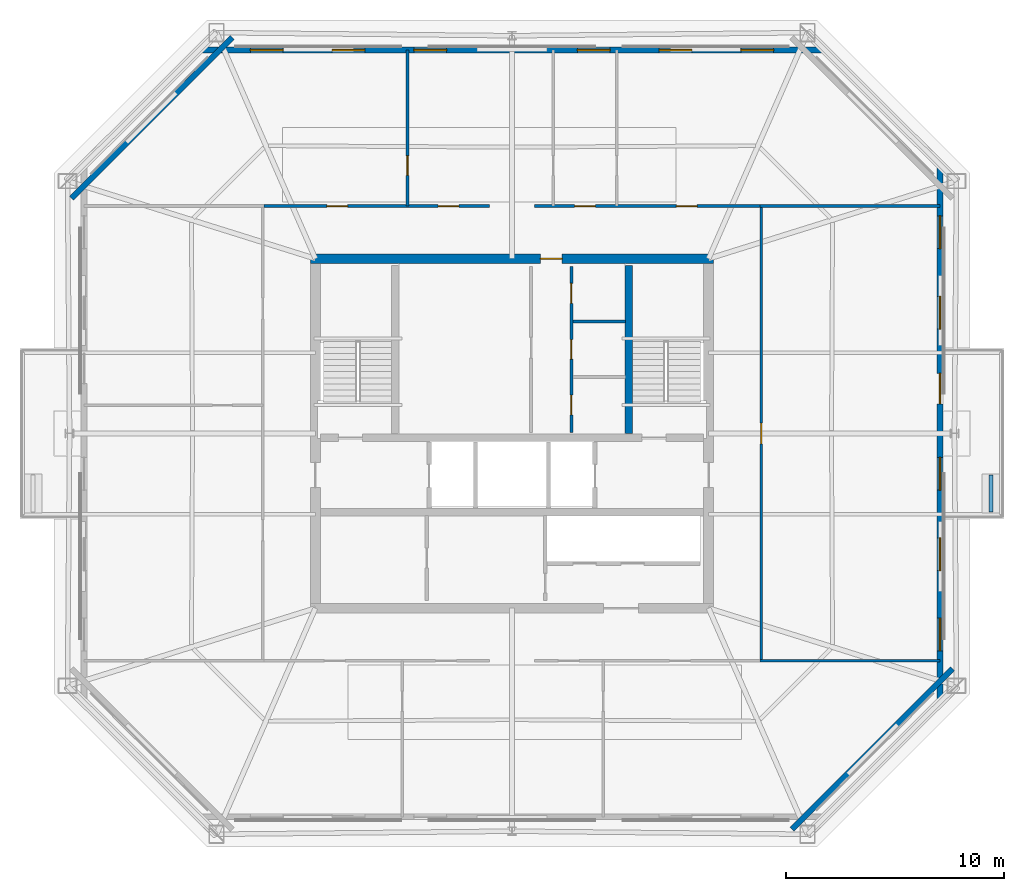
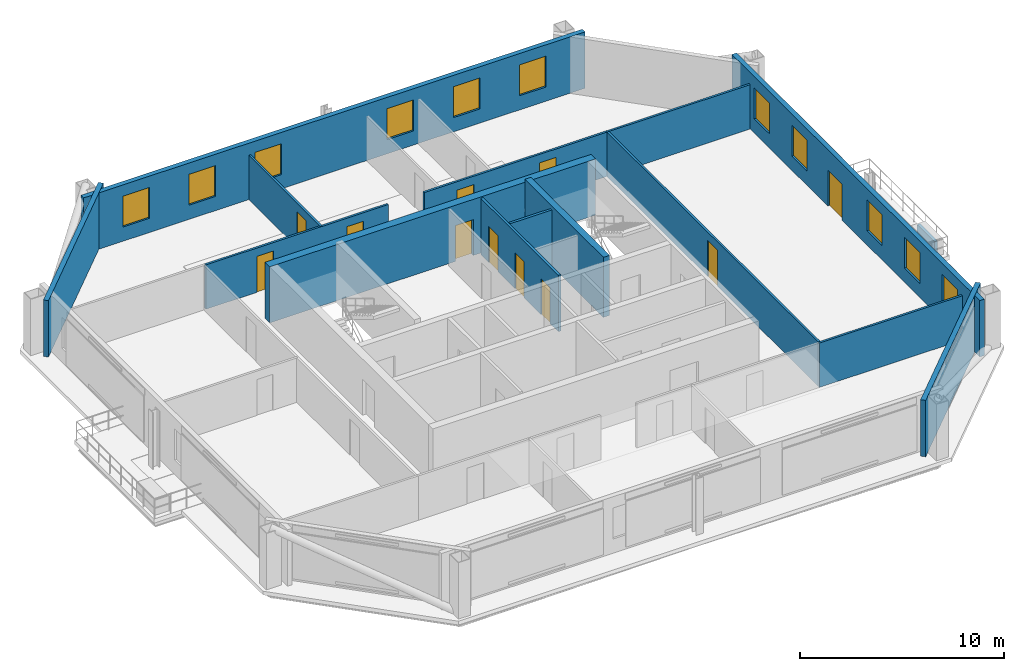
# One storey, part 4 of 7: 15 walls, 11 doors, 11 windows, 22 openings.
"""IFC4 building model written with IfcOpenShell, lengths in metres."""

import ifcopenshell
import ifcopenshell.guid

model = None  # the IFC model being written
_history = None  # IfcOwnerHistory: only IFC2X3 demands one
_inside = {}  # id of a spatial element -> (the spatial element, [elements in it])
_under = {}  # id of a project, library or spatial element -> (it, [spatial elements below it])
_declared = {}  # id of a project -> (the project, [libraries it declares])
_typed = {}  # id of a type object -> (the type object, [elements of that type])
_made_of = {}  # id of a material, layer set ... -> (it, [elements and type objects made of it])


def new_model(schema):
    """Start an empty IFC model of exactly this schema.

    Asked for "IFC4X3", IfcOpenShell would pick the latest addendum, in which some entities
    have other attributes; the version numbers below select the first issue.
    IFC2X3 requires an IfcOwnerHistory on every rooted entity: one is made here for all.
    """
    global model, _history
    if schema == "IFC4X3":
        model = ifcopenshell.file(schema_version=(4, 3, 0, 0))
    else:
        model = ifcopenshell.file(schema=schema)
    _inside.clear()
    _under.clear()
    _declared.clear()
    _typed.clear()
    _made_of.clear()
    _history = None
    if model.schema == "IFC2X3":
        org = make("IfcOrganization", Name="unknown")
        user = make(
            "IfcPersonAndOrganization",
            ThePerson=make("IfcPerson", FamilyName="unknown"),
            TheOrganization=org,
        )
        app = make(
            "IfcApplication",
            ApplicationDeveloper=org,
            Version="unknown",
            ApplicationFullName="unknown",
            ApplicationIdentifier="unknown",
        )
        _history = make(
            "IfcOwnerHistory",
            OwningUser=user,
            OwningApplication=app,
            ChangeAction="ADDED",
            CreationDate=0,
        )
    return model


def make(cls, **values):
    """One entity of the class cls with the attributes given. An attribute that is None is left unset."""
    return model.create_entity(
        cls, **{name: value for name, value in values.items() if value is not None}
    )


def rooted(cls, **values):
    """An entity with a GlobalId (a new one), such as an element, a storey or a relation."""
    return make(cls, GlobalId=ifcopenshell.guid.new(), OwnerHistory=_history, **values)


def si_unit(unit_type, name, prefix=None):
    """IfcSIUnit, for example si_unit("LENGTHUNIT", "METRE", prefix="MILLI")."""
    return make("IfcSIUnit", UnitType=unit_type, Prefix=prefix, Name=name)


def assignment(units):
    """IfcUnitAssignment: the units of a project."""
    return None if units is None else make("IfcUnitAssignment", Units=units)


def point(xyz):
    """IfcCartesianPoint."""
    return None if xyz is None else make("IfcCartesianPoint", Coordinates=xyz)


def direction(xyz):
    """IfcDirection."""
    return None if xyz is None else make("IfcDirection", DirectionRatios=xyz)


def frame(location, z_axis=None, x_axis=None):
    """IfcAxis2Placement3D, a coordinate frame: its origin and axes. An axis left out is left unset."""
    return make(
        "IfcAxis2Placement3D",
        Location=point(location),
        Axis=direction(z_axis),
        RefDirection=direction(x_axis),
    )


def frame_2d(location, x_axis=None):
    """IfcAxis2Placement2D, a coordinate frame in the plane: its origin and x axis."""
    return make(
        "IfcAxis2Placement2D", Location=point(location), RefDirection=direction(x_axis)
    )


def origin():
    """The frame at (0, 0, 0) with its axes left unset."""
    return frame((0.0, 0.0, 0.0))


def place(relative_to, where):
    """IfcLocalPlacement: puts the frame where relative to a parent placement (None: the world)."""
    return make(
        "IfcLocalPlacement", PlacementRelTo=relative_to, RelativePlacement=where
    )


def context(
    kind, dimensions, precision=None, world=None, true_north=None, identifier=None
):
    """IfcGeometricRepresentationContext, for example the 3D "Model" context."""
    return make(
        "IfcGeometricRepresentationContext",
        ContextIdentifier=identifier,
        ContextType=kind,
        CoordinateSpaceDimension=dimensions,
        Precision=precision,
        WorldCoordinateSystem=world,
        TrueNorth=true_north,
    )


def subcontext(parent, identifier, kind, view, scale=None):
    """IfcGeometricRepresentationSubContext, for example "Body" below "Model"."""
    return make(
        "IfcGeometricRepresentationSubContext",
        ContextIdentifier=identifier,
        ContextType=kind,
        ParentContext=parent,
        TargetScale=scale,
        TargetView=view,
    )


def project(units=None, contexts=None):
    """IfcProject with its units and contexts."""
    return rooted(
        "IfcProject",
        Name="project",
        RepresentationContexts=contexts,
        UnitsInContext=assignment(units),
    )


def spatial(cls, under=None, at=None, **own):
    """A site, building, storey or space (cls), placed at a placement, below another one or the project."""
    s = rooted(cls, ObjectPlacement=at, **own)
    if under is not None:
        _under.setdefault(under.id(), (under, []))[1].append(s)
    return s


def profile(cls, at=None, kind="AREA", **sizes):
    """A parametric profile (cls). Its sizes go by their IFC names, for example OverallWidth=200.0."""
    return make(cls, ProfileType=kind, Position=at, **sizes)


def rectangle(**sizes):
    """IfcRectangleProfileDef."""
    return profile("IfcRectangleProfileDef", **sizes)


def extrude(swept, where, along, depth):
    """IfcExtrudedAreaSolid: the profile swept, set in the frame where, extruded along a direction by depth."""
    return make(
        "IfcExtrudedAreaSolid",
        SweptArea=swept,
        Position=where,
        ExtrudedDirection=direction(along),
        Depth=depth,
    )


def shape(context_of_items, identifier, shape_type, items):
    """IfcShapeRepresentation: the items that make up one representation, for example the "Body"."""
    return make(
        "IfcShapeRepresentation",
        ContextOfItems=context_of_items,
        RepresentationIdentifier=identifier,
        RepresentationType=shape_type,
        Items=items,
    )


def material(Name=None, Category=None):
    """IfcMaterial."""
    return make("IfcMaterial", Name=Name, Category=Category)


def layer(
    of_material, thickness, ventilated=None, Name=None, Category=None, Priority=None
):
    """IfcMaterialLayer: one layer of a wall or slab, of a material (None: an air gap)."""
    return make(
        "IfcMaterialLayer",
        Material=of_material,
        LayerThickness=thickness,
        IsVentilated=ventilated,
        Name=Name,
        Category=Category,
        Priority=Priority,
    )


def layer_set(layers, Name=None):
    """IfcMaterialLayerSet."""
    return make("IfcMaterialLayerSet", MaterialLayers=layers, LayerSetName=Name)


def made_of(thing, what):
    """Note that an element or type object is made of a material, layer set ...; save() writes the relation."""
    if what is not None:
        _made_of.setdefault(what.id(), (what, []))[1].append(thing)
    return thing


def type_object(cls, material=None, **own):
    """A type object (cls), such as IfcWallType, which elements share."""
    return made_of(rooted(cls, **own), material)


def element(
    cls,
    number,
    at=None,
    inside=None,
    cuts=None,
    type_object=None,
    material=None,
    context=None,
    identifier="Body",
    shape_type=None,
    held_by="IfcProductDefinitionShape",
    body=None,
    shapes=None,
    **own,
):
    """One element of the class cls, such as IfcWall. Its Tag is "e" and its number.

    at: its placement. inside: the storey or other place that contains it. cuts: it is an
    opening in that element (IfcRelVoidsElement). A single representation is given by context,
    identifier, shape_type and body (its items); several are given by shapes. held_by: the class
    of the entity that holds the representations. save() writes the other relations.
    """
    e = rooted(cls, Tag="e%d" % number, ObjectPlacement=at, **own)
    if body is not None:
        shapes = [shape(context, identifier, shape_type, body)]
    if shapes is not None:
        e.Representation = make(held_by, Representations=shapes)
    if inside is not None:
        _inside.setdefault(inside.id(), (inside, []))[1].append(e)
    if cuts is not None:
        rooted(
            "IfcRelVoidsElement", RelatingBuildingElement=cuts, RelatedOpeningElement=e
        )
    if type_object is not None:
        _typed.setdefault(type_object.id(), (type_object, []))[1].append(e)
    return made_of(e, material)


def fill(opening, filler):
    """IfcRelFillsElement: the door or window that sits in an opening."""
    return rooted(
        "IfcRelFillsElement",
        RelatingOpeningElement=opening,
        RelatedBuildingElement=filler,
    )


def aggregate(whole, parts):
    """IfcRelAggregates: a whole, such as a stair, and the parts it consists of."""
    return rooted("IfcRelAggregates", RelatingObject=whole, RelatedObjects=parts)


def save(model, path):
    """Write the relations noted so far, then the file.

    IfcRelAggregates (storeys below a building ...), IfcRelContainedInSpatialStructure (elements
    in a storey), IfcRelDefinesByType, IfcRelAssociatesMaterial and IfcRelDeclares: one each for
    every whole, place, type object, material and project.
    """
    for whole, parts in _under.values():
        aggregate(whole, parts)
    for where, things in _inside.values():
        rooted(
            "IfcRelContainedInSpatialStructure",
            RelatedElements=things,
            RelatingStructure=where,
        )
    for kind, things in _typed.values():
        rooted("IfcRelDefinesByType", RelatedObjects=things, RelatingType=kind)
    for what, things in _made_of.values():
        rooted("IfcRelAssociatesMaterial", RelatedObjects=things, RelatingMaterial=what)
    for by, libraries in _declared.values():
        rooted("IfcRelDeclares", RelatingContext=by, RelatedDefinitions=libraries)
    model.write(path)


model = new_model("IFC4")

# Units and contexts
model_context = context("Model", 3, precision=1e-05, world=origin(), true_north=direction((0.0, 1.0)))
body_context = subcontext(model_context, "Body", "Model", "MODEL_VIEW")
ifc_project = project(units=[si_unit("LENGTHUNIT", "METRE"), si_unit("AREAUNIT", "SQUARE_METRE"), si_unit("VOLUMEUNIT", "CUBIC_METRE"), si_unit("PLANEANGLEUNIT", "RADIAN"), si_unit("MASSUNIT", "GRAM", prefix="KILO")], contexts=[model_context])

# Site, building, storey
site_placement = place(None, origin())
site = spatial("IfcSite", under=ifc_project, at=site_placement, CompositionType="ELEMENT")
building_placement = place(site_placement, origin())
building = spatial("IfcBuilding", under=site, at=building_placement, Name="Caelvoria Tower", CompositionType="ELEMENT")
storey_placement = place(building_placement, frame((0.0, 0.0, 223.800048828125)))
storey = spatial("IfcBuildingStorey", under=building, at=storey_placement, Name="L59", CompositionType="ELEMENT", Elevation=223.800048828125)

# Walls
ifc_material_1 = material(Name="Bronze-Clad Concrete C40/50", Category="concrete")
ifc_layer_1 = layer(ifc_material_1, 0.179931640625, Name="Bronze-Clad Concrete C40/50")
ifc_layer_set_1 = layer_set([ifc_layer_1], Name="Architectural Planter Kerb Wall 180 - Bronze-Clad Concrete C40/50")
wall_type_1 = type_object("IfcWallType", Name="Architectural Planter Kerb Wall 180", PredefinedType="PARAPET", material=ifc_layer_set_1)
wall_1_placement = place(storey_placement, frame((67.922607421875, 28.39990234375, 0.0), z_axis=(0.0, 0.0, 1.0), x_axis=(0.0, 1.0, 0.0)))
element("IfcWall", 1, at=wall_1_placement, inside=storey, type_object=wall_type_1, Name="Tree Balcony Planter Kerb PLANTER TB-L59-E", PredefinedType="PARAPET", context=body_context, shape_type="SweptSolid", body=[
    extrude(rectangle(XDim=1.7001953125, YDim=0.179931640625, at=frame_2d((0.85009765625, 0.0))), origin(), (0.0, 0.0, 1.0), 0.8798828125),
])
ifc_material_2 = material(Name="Concrete C50/60", Category="concrete")
ifc_layer_2 = layer(ifc_material_2, 0.35009765625, Name="Concrete C50/60")
ifc_layer_set_2 = layer_set([ifc_layer_2], Name="Core Internal Shear Wall 350 - Concrete C50/60")
wall_type_2 = type_object("IfcWallType", Name="Core Internal Shear Wall 350", PredefinedType="SHEAR", material=ifc_layer_set_2)
wall_2_placement = place(storey_placement, frame((51.35009765625, 32.0, 0.0), z_axis=(0.0, 0.0, 1.0), x_axis=(0.0, 1.0, 0.0)))
element("IfcWall", 2, at=wall_2_placement, inside=storey, type_object=wall_type_2, Name="Interior Partition IW-L59-ST2W", PredefinedType="SHEAR", context=body_context, shape_type="SweptSolid", body=[
    extrude(rectangle(XDim=7.699951171875, YDim=0.35009765625, at=frame_2d((3.85009765625, 0.0))), origin(), (0.0, 0.0, 1.0), 3.599853515625),
])

# Wall, openings, doors
ifc_material_3 = material(Name="Moisture-Resistant Gypsum on Steel Stud", Category="steel")
ifc_layer_3 = layer(ifc_material_3, 0.139892578125, Name="Moisture-Resistant Gypsum on Steel Stud")
ifc_layer_set_3 = layer_set([ifc_layer_3], Name="Core Sanitary Acoustic Partition Wall 140 - Moisture-Resistant Gypsum on Steel Stud")
wall_type_3 = type_object("IfcWallType", Name="Core Sanitary Acoustic Partition Wall 140", PredefinedType="PARTITIONING", material=ifc_layer_set_3)
wall_3_placement = place(storey_placement, frame((48.719970703125, 32.050048828125, 0.0), z_axis=(0.0, 0.0, 1.0), x_axis=(0.0, 1.0, 0.0)))
wall_3 = element("IfcWall", 3, at=wall_3_placement, inside=storey, type_object=wall_type_3, Name="Interior Partition IW-L59-C2R", PredefinedType="PARTITIONING", context=body_context, shape_type="SweptSolid", body=[
    extrude(rectangle(XDim=7.599853515625, YDim=0.139892578125, at=frame_2d((3.7998046875, 0.0))), origin(), (0.0, 0.0, 1.0), 3.375),
])
opening_1_placement = place(wall_3_placement, frame((0.800048828125, 0.0, 0.0)))
opening_1 = element("IfcOpeningElement", 4, at=opening_1_placement, cuts=wall_3, Name="Opening ID-04", PredefinedType="OPENING", context=body_context, shape_type="SweptSolid", body=[
    extrude(rectangle(XDim=0.89990234375, YDim=2.14990234375, at=frame_2d((0.449951171875, 1.074951171875))), frame((0.0, 0.079833984375, 0.0), z_axis=(0.0, -1.0, 0.0), x_axis=(1.0, 0.0, 0.0)), (0.0, 0.0, 1.0), 0.159912109375),
])
opening_2_placement = place(wall_3_placement, frame((3.35009765625, 0.0, 0.0)))
opening_2 = element("IfcOpeningElement", 5, at=opening_2_placement, cuts=wall_3, Name="Opening ID-06", PredefinedType="OPENING", context=body_context, shape_type="SweptSolid", body=[
    extrude(rectangle(XDim=0.89990234375, YDim=2.14990234375, at=frame_2d((0.449951171875, 1.074951171875))), frame((0.0, 0.079833984375, 0.0), z_axis=(0.0, -1.0, 0.0), x_axis=(1.0, 0.0, 0.0)), (0.0, 0.0, 1.0), 0.159912109375),
])
opening_3_placement = place(wall_3_placement, frame((5.89990234375, 0.0, 0.0)))
opening_3 = element("IfcOpeningElement", 6, at=opening_3_placement, cuts=wall_3, Name="Opening ID-07", PredefinedType="OPENING", context=body_context, shape_type="SweptSolid", body=[
    extrude(rectangle(XDim=0.919921875, YDim=2.14990234375, at=frame_2d((0.4599609375, 1.074951171875))), frame((0.0, 0.079833984375, 0.0), z_axis=(0.0, -1.0, 0.0), x_axis=(1.0, 0.0, 0.0)), (0.0, 0.0, 1.0), 0.159912109375),
])
ifc_material_4 = material(Name="Engineered Andean Oak Accessible Door", Category="wood")
door_type_1 = type_object("IfcDoorType", Name="Accessible WC Door 950x2150", OperationType="NOTDEFINED", PredefinedType="DOOR", material=ifc_material_4)
door_1_placement = place(opening_3_placement, origin())
door_1 = element("IfcDoor", 7, at=door_1_placement, inside=storey, type_object=door_type_1, Name="Interior Door DR-L59-C2E3", OperationType="SINGLE_SWING_RIGHT", OverallHeight=2.14990234375, OverallWidth=0.919921875, PredefinedType="DOOR", context=body_context, shape_type="SweptSolid", body=[
    extrude(rectangle(XDim=0.919921875, YDim=2.14990234375, at=frame_2d((0.4599609375, 1.074951171875))), frame((0.0, 0.02490234375, 0.0), z_axis=(0.0, -1.0, 0.0), x_axis=(1.0, 0.0, 0.0)), (0.0, 0.0, 1.0), 0.050048828125),
])
fill(opening_3, door_1)
ifc_material_5 = material(Name="Acoustic Timber Fire Door", Category="wood")
door_type_2 = type_object("IfcDoorType", Name="Fire Door FD30S 900x2150", OperationType="NOTDEFINED", PredefinedType="DOOR", material=ifc_material_5)
door_2_placement = place(opening_1_placement, origin())
door_2 = element("IfcDoor", 8, at=door_2_placement, inside=storey, type_object=door_type_2, Name="Interior Door DR-L59-C2E1", OperationType="SINGLE_SWING_RIGHT", OverallHeight=2.14990234375, OverallWidth=0.89990234375, PredefinedType="DOOR", context=body_context, shape_type="SweptSolid", body=[
    extrude(rectangle(XDim=0.89990234375, YDim=2.14990234375, at=frame_2d((0.449951171875, 1.074951171875))), frame((0.0, 0.02490234375, 0.0), z_axis=(0.0, -1.0, 0.0), x_axis=(1.0, 0.0, 0.0)), (0.0, 0.0, 1.0), 0.050048828125),
])
fill(opening_1, door_2)
ifc_material_6 = material(Name="Engineered Andean Oak Veneer Door", Category="wood")
door_type_3 = type_object("IfcDoorType", Name="Interior Timber Door 900x2150", OperationType="NOTDEFINED", PredefinedType="DOOR", material=ifc_material_6)
door_3_placement = place(opening_2_placement, origin())
door_3 = element("IfcDoor", 9, at=door_3_placement, inside=storey, type_object=door_type_3, Name="Interior Door DR-L59-C2E2", OperationType="SINGLE_SWING_LEFT", OverallHeight=2.14990234375, OverallWidth=0.89990234375, PredefinedType="DOOR", context=body_context, shape_type="SweptSolid", body=[
    extrude(rectangle(XDim=0.89990234375, YDim=2.14990234375, at=frame_2d((0.449951171875, 1.074951171875))), frame((0.0, 0.02490234375, 0.0), z_axis=(0.0, -1.0, 0.0), x_axis=(1.0, 0.0, 0.0)), (0.0, 0.0, 1.0), 0.050048828125),
])
fill(opening_2, door_3)

# Wall
wall_4_placement = place(storey_placement, frame((48.800048828125, 37.1201171875, 0.0), z_axis=(0.0, 0.0, 1.0), x_axis=(1.0, 0.0, 0.0)))
element("IfcWall", 10, at=wall_4_placement, inside=storey, type_object=wall_type_3, Name="Interior Partition IW-L59-C2H2", PredefinedType="PARTITIONING", context=body_context, shape_type="SweptSolid", body=[
    extrude(rectangle(XDim=2.39990234375, YDim=0.139892578125, at=frame_2d((1.199951171875, 0.0))), origin(), (0.0, 0.0, 1.0), 3.375),
])

# Wall, opening, door
ifc_material_7 = material(Name="Acoustic Gypsum Board on Light-Gauge Stud", Category="gypsum")
ifc_layer_4 = layer(ifc_material_7, 0.1201171875, Name="Acoustic Gypsum Board on Light-Gauge Stud")
ifc_layer_set_4 = layer_set([ifc_layer_4], Name="Tenant Suite Acoustic Partition Wall 120 - Acoustic Gypsum Board on Light-Gauge Stud")
wall_type_4 = type_object("IfcWallType", Name="Tenant Suite Acoustic Partition Wall 120", PredefinedType="PARTITIONING", material=ifc_layer_set_4)
wall_5_placement = place(storey_placement, frame((41.217041015625, 42.409912109375, 0.0), z_axis=(0.0, 0.0, 1.0), x_axis=(0.0, 1.0, 0.0)))
wall_5 = element("IfcWall", 11, at=wall_5_placement, inside=storey, type_object=wall_type_4, Name="Interior Partition IW-L59-ND-00-0", PredefinedType="PARTITIONING", context=body_context, shape_type="SweptSolid", body=[
    extrude(rectangle(XDim=7.137451171875, YDim=0.1201171875, at=frame_2d((3.56884765625, 0.0))), origin(), (0.0, 0.0, 1.0), 2.655029296875),
])
opening_4_placement = place(wall_5_placement, frame((1.39990234375, 0.0, 0.0)))
opening_4 = element("IfcOpeningElement", 12, at=opening_4_placement, cuts=wall_5, Name="Opening ID-06", PredefinedType="OPENING", context=body_context, shape_type="SweptSolid", body=[
    extrude(rectangle(XDim=0.89990234375, YDim=2.14990234375, at=frame_2d((0.449951171875, 1.074951171875))), frame((0.0, 0.070068359375, 0.0), z_axis=(0.0, -1.0, 0.0), x_axis=(1.0, 0.0, 0.0)), (0.0, 0.0, 1.0), 0.14013671875),
])
door_4_placement = place(opening_4_placement, origin())
door_4 = element("IfcDoor", 13, at=door_4_placement, inside=storey, type_object=door_type_3, Name="Interior Door DR-L59-NM-00-0", OperationType="SINGLE_SWING_RIGHT", OverallHeight=2.14990234375, OverallWidth=0.89990234375, PredefinedType="DOOR", context=body_context, shape_type="SweptSolid", body=[
    extrude(rectangle(XDim=0.89990234375, YDim=2.14990234375, at=frame_2d((0.449951171875, 1.074951171875))), frame((0.0, 0.02490234375, 0.0), z_axis=(0.0, -1.0, 0.0), x_axis=(1.0, 0.0, 0.0)), (0.0, 0.0, 1.0), 0.050048828125),
])
fill(opening_4, door_4)

# Wall, openings, doors
wall_6_placement = place(storey_placement, frame((34.64990234375, 42.409912109375, 0.0), z_axis=(0.0, 0.0, 1.0), x_axis=(1.0, 0.0, 0.0)))
wall_6 = element("IfcWall", 14, at=wall_6_placement, inside=storey, type_object=wall_type_4, Name="Interior Partition IW-L59-NCW-0", PredefinedType="PARTITIONING", context=body_context, shape_type="SweptSolid", body=[
    extrude(rectangle(XDim=10.330078125, YDim=0.1201171875, at=frame_2d((5.1650390625, 0.0))), origin(), (0.0, 0.0, 1.0), 2.655029296875),
])
opening_5_placement = place(wall_6_placement, frame((2.87841796875, 0.0, 0.0)))
opening_5 = element("IfcOpeningElement", 15, at=opening_5_placement, cuts=wall_6, Name="Opening ID-05", PredefinedType="OPENING", context=body_context, shape_type="SweptSolid", body=[
    extrude(rectangle(XDim=0.949951171875, YDim=2.14990234375, at=frame_2d((0.47509765625, 1.074951171875))), frame((0.0, 0.070068359375, 0.0), z_axis=(0.0, -1.0, 0.0), x_axis=(1.0, 0.0, 0.0)), (0.0, 0.0, 1.0), 0.14013671875),
])
opening_6_placement = place(wall_6_placement, frame((7.9736328125, 0.0, 0.0)))
opening_6 = element("IfcOpeningElement", 16, at=opening_6_placement, cuts=wall_6, Name="Opening ID-05", PredefinedType="OPENING", context=body_context, shape_type="SweptSolid", body=[
    extrude(rectangle(XDim=0.949951171875, YDim=2.14990234375, at=frame_2d((0.47509765625, 1.074951171875))), frame((0.0, 0.070068359375, 0.0), z_axis=(0.0, -1.0, 0.0), x_axis=(1.0, 0.0, 0.0)), (0.0, 0.0, 1.0), 0.14013671875),
])
door_type_4 = type_object("IfcDoorType", Name="Interior Timber Door 950x2150", OperationType="NOTDEFINED", PredefinedType="DOOR", material=ifc_material_6)
door_5_placement = place(opening_5_placement, origin())
door_5 = element("IfcDoor", 17, at=door_5_placement, inside=storey, type_object=door_type_4, Name="Interior Door DR-L59-NC-00-0", OperationType="SINGLE_SWING_RIGHT", OverallHeight=2.14990234375, OverallWidth=0.949951171875, PredefinedType="DOOR", context=body_context, shape_type="SweptSolid", body=[
    extrude(rectangle(XDim=0.949951171875, YDim=2.14990234375, at=frame_2d((0.47509765625, 1.074951171875))), frame((0.0, 0.02490234375, 0.0), z_axis=(0.0, -1.0, 0.0), x_axis=(1.0, 0.0, 0.0)), (0.0, 0.0, 1.0), 0.050048828125),
])
fill(opening_5, door_5)
door_6_placement = place(opening_6_placement, origin())
door_6 = element("IfcDoor", 18, at=door_6_placement, inside=storey, type_object=door_type_4, Name="Interior Door DR-L59-NC-01-0", OperationType="SINGLE_SWING_LEFT", OverallHeight=2.14990234375, OverallWidth=0.949951171875, PredefinedType="DOOR", context=body_context, shape_type="SweptSolid", body=[
    extrude(rectangle(XDim=0.949951171875, YDim=2.14990234375, at=frame_2d((0.47509765625, 1.074951171875))), frame((0.0, 0.02490234375, 0.0), z_axis=(0.0, -1.0, 0.0), x_axis=(1.0, 0.0, 0.0)), (0.0, 0.0, 1.0), 0.050048828125),
])
fill(opening_6, door_6)

wall_7_placement = place(storey_placement, frame((47.02001953125, 42.409912109375, 0.0), z_axis=(0.0, 0.0, 1.0), x_axis=(1.0, 0.0, 0.0)))
wall_7 = element("IfcWall", 19, at=wall_7_placement, inside=storey, type_object=wall_type_4, Name="Interior Partition IW-L59-NCW-1", PredefinedType="PARTITIONING", context=body_context, shape_type="SweptSolid", body=[
    extrude(rectangle(XDim=10.330078125, YDim=0.1201171875, at=frame_2d((5.1650390625, 0.0))), origin(), (0.0, 0.0, 1.0), 2.655029296875),
])
opening_7_placement = place(wall_7_placement, frame((1.845703125, 0.0, 0.0)))
opening_7 = element("IfcOpeningElement", 20, at=opening_7_placement, cuts=wall_7, Name="Opening ID-05", PredefinedType="OPENING", context=body_context, shape_type="SweptSolid", body=[
    extrude(rectangle(XDim=0.949951171875, YDim=2.14990234375, at=frame_2d((0.47509765625, 1.074951171875))), frame((0.0, 0.070068359375, 0.0), z_axis=(0.0, -1.0, 0.0), x_axis=(1.0, 0.0, 0.0)), (0.0, 0.0, 1.0), 0.14013671875),
])
opening_8_placement = place(wall_7_placement, frame((6.508544921875, 0.0, 0.0)))
opening_8 = element("IfcOpeningElement", 21, at=opening_8_placement, cuts=wall_7, Name="Opening ID-05", PredefinedType="OPENING", context=body_context, shape_type="SweptSolid", body=[
    extrude(rectangle(XDim=0.949951171875, YDim=2.14990234375, at=frame_2d((0.47509765625, 1.074951171875))), frame((0.0, 0.070068359375, 0.0), z_axis=(0.0, -1.0, 0.0), x_axis=(1.0, 0.0, 0.0)), (0.0, 0.0, 1.0), 0.14013671875),
])
door_7_placement = place(opening_7_placement, origin())
door_7 = element("IfcDoor", 22, at=door_7_placement, inside=storey, type_object=door_type_4, Name="Interior Door DR-L59-NC-02-0", OperationType="SINGLE_SWING_RIGHT", OverallHeight=2.14990234375, OverallWidth=0.949951171875, PredefinedType="DOOR", context=body_context, shape_type="SweptSolid", body=[
    extrude(rectangle(XDim=0.949951171875, YDim=2.14990234375, at=frame_2d((0.47509765625, 1.074951171875))), frame((0.0, 0.02490234375, 0.0), z_axis=(0.0, -1.0, 0.0), x_axis=(1.0, 0.0, 0.0)), (0.0, 0.0, 1.0), 0.050048828125),
])
fill(opening_7, door_7)
door_8_placement = place(opening_8_placement, origin())
door_8 = element("IfcDoor", 23, at=door_8_placement, inside=storey, type_object=door_type_4, Name="Interior Door DR-L59-NC-03-0", OperationType="SINGLE_SWING_LEFT", OverallHeight=2.14990234375, OverallWidth=0.949951171875, PredefinedType="DOOR", context=body_context, shape_type="SweptSolid", body=[
    extrude(rectangle(XDim=0.949951171875, YDim=2.14990234375, at=frame_2d((0.47509765625, 1.074951171875))), frame((0.0, 0.02490234375, 0.0), z_axis=(0.0, -1.0, 0.0), x_axis=(1.0, 0.0, 0.0)), (0.0, 0.0, 1.0), 0.050048828125),
])
fill(opening_8, door_8)

# Wall, opening, door
wall_8_placement = place(storey_placement, frame((57.409912109375, 21.64990234375, 0.0), z_axis=(0.0, 0.0, 1.0), x_axis=(0.0, 1.0, 0.0)))
wall_8 = element("IfcWall", 24, at=wall_8_placement, inside=storey, type_object=wall_type_4, Name="Interior Partition IW-L59-ECW-0", PredefinedType="PARTITIONING", context=body_context, shape_type="SweptSolid", body=[
    extrude(rectangle(XDim=20.7001953125, YDim=0.1201171875, at=frame_2d((10.35009765625, 0.0))), origin(), (0.0, 0.0, 1.0), 2.655029296875),
])
opening_9_placement = place(wall_8_placement, frame((9.875, 0.0, 0.0)))
opening_9 = element("IfcOpeningElement", 25, at=opening_9_placement, cuts=wall_8, Name="Opening ID-05", PredefinedType="OPENING", context=body_context, shape_type="SweptSolid", body=[
    extrude(rectangle(XDim=0.949951171875, YDim=2.14990234375, at=frame_2d((0.47509765625, 1.074951171875))), frame((0.0, 0.070068359375, 0.0), z_axis=(0.0, -1.0, 0.0), x_axis=(1.0, 0.0, 0.0)), (0.0, 0.0, 1.0), 0.14013671875),
])
door_9_placement = place(opening_9_placement, origin())
door_9 = element("IfcDoor", 26, at=door_9_placement, inside=storey, type_object=door_type_4, Name="Interior Door DR-L59-EC-00-0", OperationType="SINGLE_SWING_RIGHT", OverallHeight=2.14990234375, OverallWidth=0.949951171875, PredefinedType="DOOR", context=body_context, shape_type="SweptSolid", body=[
    extrude(rectangle(XDim=0.949951171875, YDim=2.14990234375, at=frame_2d((0.47509765625, 1.074951171875))), frame((0.0, 0.02490234375, 0.0), z_axis=(0.0, -1.0, 0.0), x_axis=(1.0, 0.0, 0.0)), (0.0, 0.0, 1.0), 0.050048828125),
])
fill(opening_9, door_9)

# Walls
for number, where, z_axis, x_axis, name in (
    (27, (57.35009765625, 21.590087890625, 0.0), (0.0, 0.0, 1.0), (1.0, 0.0, 0.0), "Interior Partition IW-L59-BSE-0"),
    (28, (57.35009765625, 42.409912109375, 0.0), (0.0, 0.0, 1.0), (1.0, 0.0, 0.0), "Interior Partition IW-L59-BNE-0"),
):
    element("IfcWall", number, at=place(storey_placement, frame(where, z_axis=z_axis, x_axis=x_axis)), inside=storey, type_object=wall_type_4, Name=name, PredefinedType="PARTITIONING", context=body_context, shape_type="SweptSolid", body=[
        extrude(rectangle(XDim=8.24267578125, YDim=0.1201171875, at=frame_2d((4.121337890625, 0.0))), origin(), (0.0, 0.0, 1.0), 2.655029296875),
    ])

# Wall, opening, door
ifc_layer_5 = layer(ifc_material_2, 0.449951171875, Name="Concrete C50/60")
ifc_layer_set_5 = layer_set([ifc_layer_5], Name="Upper Core Shear Wall 450 - Concrete C50/60")
wall_type_5 = type_object("IfcWallType", Name="Upper Core Shear Wall 450", PredefinedType="SHEAR", material=ifc_layer_set_5)
wall_9_placement = place(storey_placement, frame((36.77490234375, 40.0, 0.0), z_axis=(0.0, 0.0, 1.0), x_axis=(1.0, 0.0, 0.0)))
wall_9 = element("IfcWall", 29, at=wall_9_placement, inside=storey, type_object=wall_type_5, Name="Core Shear Wall L59 N", PredefinedType="SHEAR", context=body_context, shape_type="SweptSolid", body=[
    extrude(rectangle(XDim=18.4501953125, YDim=0.449951171875, at=frame_2d((9.22509765625, 0.0))), origin(), (0.0, 0.0, 1.0), 3.35986328125),
])
opening_10_placement = place(wall_9_placement, frame((10.52490234375, 0.0, 0.0)))
opening_10 = element("IfcOpeningElement", 30, at=opening_10_placement, cuts=wall_9, Name="Opening ID-03", PredefinedType="OPENING", context=body_context, shape_type="SweptSolid", body=[
    extrude(rectangle(XDim=1.0, YDim=2.14990234375, at=frame_2d((0.5, 1.074951171875))), frame((0.0, 0.23486328125, 0.0), z_axis=(0.0, -1.0, 0.0), x_axis=(1.0, 0.0, 0.0)), (0.0, 0.0, 1.0), 0.469970703125),
])
ifc_material_8 = material(Name="Painted Hollow Steel Fire Door", Category="steel")
door_type_5 = type_object("IfcDoorType", Name="Fire Door FD60S 1000x2150", OperationType="NOTDEFINED", PredefinedType="DOOR", material=ifc_material_8)
door_10_placement = place(opening_10_placement, origin())
door_10 = element("IfcDoor", 31, at=door_10_placement, inside=storey, type_object=door_type_5, Name="Core Door DR-L59-WC-MAIN", OperationType="SINGLE_SWING_RIGHT", OverallHeight=2.14990234375, OverallWidth=1.0, PredefinedType="DOOR", context=body_context, shape_type="SweptSolid", body=[
    extrude(rectangle(XDim=1.0, YDim=2.14990234375, at=frame_2d((0.5, 1.074951171875))), frame((0.0, 0.02490234375, 0.0), z_axis=(0.0, -1.0, 0.0), x_axis=(1.0, 0.0, 0.0)), (0.0, 0.0, 1.0), 0.050048828125),
])
fill(opening_10, door_10)

# Wall
ifc_material_9 = material(Name="Precast Concrete C40/50 with Bronze Cladding", Category="concrete")
ifc_layer_6 = layer(ifc_material_9, 0.264892578125, Name="Precast Concrete C40/50 with Bronze Cladding")
ifc_layer_set_6 = layer_set([ifc_layer_6], Name="Upper Taper Precast Concrete C40/50 Bronze Facade Wall 265 - Precast Concrete C40/50 with Bronze Cladding")
wall_type_6 = type_object("IfcWallType", Name="Upper Taper Precast Concrete C40/50 Bronze Facade Wall 265", PredefinedType="STANDARD", material=ifc_layer_set_6)
wall_10_placement = place(storey_placement, frame((58.80908203125, 13.87890625, 0.0), z_axis=(0.0, 0.0, 1.0), x_axis=(0.707106781187, 0.707106781187, 0.0)))
element("IfcWall", 32, at=wall_10_placement, inside=storey, type_object=wall_type_6, Name="Exterior Facade Wall L59-E1", PredefinedType="STANDARD", context=body_context, shape_type="SweptSolid", body=[
    extrude(rectangle(XDim=10.405029296875, YDim=0.264892578125, at=frame_2d((5.20263671875, 0.0))), origin(), (0.0, 0.0, 1.0), 3.375),
])

# Wall, openings, door, windows
wall_11_placement = place(storey_placement, frame((65.5927734375, 19.850830078125, 0.0), z_axis=(0.0, 0.0, 1.0), x_axis=(0.0, 1.0, 0.0)))
wall_11 = element("IfcWall", 33, at=wall_11_placement, inside=storey, type_object=wall_type_6, Name="Exterior Facade Wall L59-E2", PredefinedType="STANDARD", context=body_context, shape_type="SweptSolid", body=[
    extrude(rectangle(XDim=24.29833984375, YDim=0.264892578125, at=frame_2d((12.149169921875, 0.0))), origin(), (0.0, 0.0, 1.0), 3.375),
])
opening_11_placement = place(wall_11_placement, frame((13.4990234375, 0.0, 0.0)))
opening_11 = element("IfcOpeningElement", 34, at=opening_11_placement, cuts=wall_11, Name="Opening ED-04", PredefinedType="OPENING", context=body_context, shape_type="SweptSolid", body=[
    extrude(rectangle(XDim=1.39990234375, YDim=2.14990234375, at=frame_2d((0.699951171875, 1.074951171875))), frame((0.0, 0.142333984375, 0.0), z_axis=(0.0, -1.0, 0.0), x_axis=(1.0, 0.0, 0.0)), (0.0, 0.0, 1.0), 0.284912109375),
])
opening_12_placement = place(wall_11_placement, frame((2.19140625, 0.0, 0.85009765625)))
opening_12 = element("IfcOpeningElement", 35, at=opening_12_placement, cuts=wall_11, Name="Opening WN-03", PredefinedType="OPENING", context=body_context, shape_type="SweptSolid", body=[
    extrude(rectangle(XDim=1.5, YDim=1.85009765625, at=frame_2d((0.75, 0.925048828125))), frame((0.0, 0.142333984375, 0.0), z_axis=(0.0, -1.0, 0.0), x_axis=(1.0, 0.0, 0.0)), (0.0, 0.0, 1.0), 0.284912109375),
])
opening_13_placement = place(wall_11_placement, frame((5.87451171875, 0.0, 0.85009765625)))
opening_13 = element("IfcOpeningElement", 36, at=opening_13_placement, cuts=wall_11, Name="Opening WN-03", PredefinedType="OPENING", context=body_context, shape_type="SweptSolid", body=[
    extrude(rectangle(XDim=1.5, YDim=1.85009765625, at=frame_2d((0.75, 0.925048828125))), frame((0.0, 0.142333984375, 0.0), z_axis=(0.0, -1.0, 0.0), x_axis=(1.0, 0.0, 0.0)), (0.0, 0.0, 1.0), 0.284912109375),
])
opening_14_placement = place(wall_11_placement, frame((9.5576171875, 0.0, 0.85009765625)))
opening_14 = element("IfcOpeningElement", 37, at=opening_14_placement, cuts=wall_11, Name="Opening WN-03", PredefinedType="OPENING", context=body_context, shape_type="SweptSolid", body=[
    extrude(rectangle(XDim=1.5, YDim=1.85009765625, at=frame_2d((0.75, 0.925048828125))), frame((0.0, 0.142333984375, 0.0), z_axis=(0.0, -1.0, 0.0), x_axis=(1.0, 0.0, 0.0)), (0.0, 0.0, 1.0), 0.284912109375),
])
opening_15_placement = place(wall_11_placement, frame((16.923583984375, 0.0, 0.85009765625)))
opening_15 = element("IfcOpeningElement", 38, at=opening_15_placement, cuts=wall_11, Name="Opening WN-03", PredefinedType="OPENING", context=body_context, shape_type="SweptSolid", body=[
    extrude(rectangle(XDim=1.5, YDim=1.85009765625, at=frame_2d((0.75, 0.925048828125))), frame((0.0, 0.142333984375, 0.0), z_axis=(0.0, -1.0, 0.0), x_axis=(1.0, 0.0, 0.0)), (0.0, 0.0, 1.0), 0.284912109375),
])
opening_16_placement = place(wall_11_placement, frame((20.606689453125, 0.0, 0.85009765625)))
opening_16 = element("IfcOpeningElement", 39, at=opening_16_placement, cuts=wall_11, Name="Opening WN-03", PredefinedType="OPENING", context=body_context, shape_type="SweptSolid", body=[
    extrude(rectangle(XDim=1.5, YDim=1.85009765625, at=frame_2d((0.75, 0.925048828125))), frame((0.0, 0.142333984375, 0.0), z_axis=(0.0, -1.0, 0.0), x_axis=(1.0, 0.0, 0.0)), (0.0, 0.0, 1.0), 0.284912109375),
])
ifc_material_10 = material(Name="Anodised Bronze Aluminium and Laminated Glass", Category="aluminium")
door_type_6 = type_object("IfcDoorType", Name="Tree Balcony Glazed Door 1400x2150", OperationType="NOTDEFINED", PredefinedType="DOOR", material=ifc_material_10)
door_11_placement = place(opening_11_placement, origin())
door_11 = element("IfcDoor", 40, at=door_11_placement, inside=storey, type_object=door_type_6, Name="Tree Balcony Door L59-E", OperationType="SINGLE_SWING_RIGHT", OverallHeight=2.14990234375, OverallWidth=1.39990234375, PredefinedType="DOOR", context=body_context, shape_type="SweptSolid", body=[
    extrude(rectangle(XDim=1.39990234375, YDim=2.14990234375, at=frame_2d((0.699951171875, 1.074951171875))), frame((0.0, 0.02490234375, 0.0), z_axis=(0.0, -1.0, 0.0), x_axis=(1.0, 0.0, 0.0)), (0.0, 0.0, 1.0), 0.050048828125),
])
fill(opening_11, door_11)
ifc_material_11 = material(Name="Low-E Tinted Glass in Bronze Aluminium Frame", Category="aluminium")
window_type = type_object("IfcWindowType", Name="Upper Taper Vision Window 1500x1850", PartitioningType="SINGLE_PANEL", PredefinedType="WINDOW", material=ifc_material_11)
window_1_placement = place(opening_12_placement, origin())
window_1 = element("IfcWindow", 41, at=window_1_placement, inside=storey, type_object=window_type, Name="Facade Window L59-E2-00", OverallHeight=1.85009765625, OverallWidth=1.5, PartitioningType="SINGLE_PANEL", PredefinedType="WINDOW", context=body_context, shape_type="SweptSolid", body=[
    extrude(rectangle(XDim=1.5, YDim=1.85009765625, at=frame_2d((0.75, 0.925048828125))), frame((0.0, 0.030029296875, 0.0), z_axis=(0.0, -1.0, 0.0), x_axis=(1.0, 0.0, 0.0)), (0.0, 0.0, 1.0), 0.06005859375),
])
fill(opening_12, window_1)
window_2_placement = place(opening_13_placement, origin())
window_2 = element("IfcWindow", 42, at=window_2_placement, inside=storey, type_object=window_type, Name="Facade Window L59-E2-01", OverallHeight=1.85009765625, OverallWidth=1.5, PartitioningType="SINGLE_PANEL", PredefinedType="WINDOW", context=body_context, shape_type="SweptSolid", body=[
    extrude(rectangle(XDim=1.5, YDim=1.85009765625, at=frame_2d((0.75, 0.925048828125))), frame((0.0, 0.030029296875, 0.0), z_axis=(0.0, -1.0, 0.0), x_axis=(1.0, 0.0, 0.0)), (0.0, 0.0, 1.0), 0.06005859375),
])
fill(opening_13, window_2)
window_3_placement = place(opening_14_placement, origin())
window_3 = element("IfcWindow", 43, at=window_3_placement, inside=storey, type_object=window_type, Name="Facade Window L59-E2-02", OverallHeight=1.85009765625, OverallWidth=1.5, PartitioningType="SINGLE_PANEL", PredefinedType="WINDOW", context=body_context, shape_type="SweptSolid", body=[
    extrude(rectangle(XDim=1.5, YDim=1.85009765625, at=frame_2d((0.75, 0.925048828125))), frame((0.0, 0.030029296875, 0.0), z_axis=(0.0, -1.0, 0.0), x_axis=(1.0, 0.0, 0.0)), (0.0, 0.0, 1.0), 0.06005859375),
])
fill(opening_14, window_3)
window_4_placement = place(opening_15_placement, origin())
window_4 = element("IfcWindow", 44, at=window_4_placement, inside=storey, type_object=window_type, Name="Facade Window L59-E2-04", OverallHeight=1.85009765625, OverallWidth=1.5, PartitioningType="SINGLE_PANEL", PredefinedType="WINDOW", context=body_context, shape_type="SweptSolid", body=[
    extrude(rectangle(XDim=1.5, YDim=1.85009765625, at=frame_2d((0.75, 0.925048828125))), frame((0.0, 0.030029296875, 0.0), z_axis=(0.0, -1.0, 0.0), x_axis=(1.0, 0.0, 0.0)), (0.0, 0.0, 1.0), 0.06005859375),
])
fill(opening_15, window_4)
window_5_placement = place(opening_16_placement, origin())
window_5 = element("IfcWindow", 45, at=window_5_placement, inside=storey, type_object=window_type, Name="Facade Window L59-E2-05", OverallHeight=1.85009765625, OverallWidth=1.5, PartitioningType="SINGLE_PANEL", PredefinedType="WINDOW", context=body_context, shape_type="SweptSolid", body=[
    extrude(rectangle(XDim=1.5, YDim=1.85009765625, at=frame_2d((0.75, 0.925048828125))), frame((0.0, 0.030029296875, 0.0), z_axis=(0.0, -1.0, 0.0), x_axis=(1.0, 0.0, 0.0)), (0.0, 0.0, 1.0), 0.06005859375),
])
fill(opening_16, window_5)

# Wall, openings, windows
wall_12_placement = place(storey_placement, frame((60.194580078125, 49.54736328125, 0.0), z_axis=(0.0, 0.0, 1.0), x_axis=(-1.0, 0.0, 0.0)))
wall_12 = element("IfcWall", 46, at=wall_12_placement, inside=storey, type_object=wall_type_6, Name="Exterior Facade Wall L59-E4", PredefinedType="STANDARD", context=body_context, shape_type="SweptSolid", body=[
    extrude(rectangle(XDim=28.38916015625, YDim=0.264892578125, at=frame_2d((14.194580078125, 0.0))), origin(), (0.0, 0.0, 1.0), 3.375),
])
opening_17_placement = place(wall_12_placement, frame((2.220703125, 0.0, 0.85009765625)))
opening_17 = element("IfcOpeningElement", 47, at=opening_17_placement, cuts=wall_12, Name="Opening WN-03", PredefinedType="OPENING", context=body_context, shape_type="SweptSolid", body=[
    extrude(rectangle(XDim=1.5, YDim=1.85009765625, at=frame_2d((0.75, 0.925048828125))), frame((0.0, 0.142333984375, 0.0), z_axis=(0.0, -1.0, 0.0), x_axis=(1.0, 0.0, 0.0)), (0.0, 0.0, 1.0), 0.284912109375),
])
opening_18_placement = place(wall_12_placement, frame((5.9619140625, 0.0, 0.85009765625)))
opening_18 = element("IfcOpeningElement", 48, at=opening_18_placement, cuts=wall_12, Name="Opening WN-03", PredefinedType="OPENING", context=body_context, shape_type="SweptSolid", body=[
    extrude(rectangle(XDim=1.5, YDim=1.85009765625, at=frame_2d((0.75, 0.925048828125))), frame((0.0, 0.142333984375, 0.0), z_axis=(0.0, -1.0, 0.0), x_axis=(1.0, 0.0, 0.0)), (0.0, 0.0, 1.0), 0.284912109375),
])
opening_19_placement = place(wall_12_placement, frame((9.703125, 0.0, 0.85009765625)))
opening_19 = element("IfcOpeningElement", 49, at=opening_19_placement, cuts=wall_12, Name="Opening WN-03", PredefinedType="OPENING", context=body_context, shape_type="SweptSolid", body=[
    extrude(rectangle(XDim=1.5, YDim=1.85009765625, at=frame_2d((0.75, 0.925048828125))), frame((0.0, 0.142333984375, 0.0), z_axis=(0.0, -1.0, 0.0), x_axis=(1.0, 0.0, 0.0)), (0.0, 0.0, 1.0), 0.284912109375),
])
opening_20_placement = place(wall_12_placement, frame((17.185791015625, 0.0, 0.85009765625)))
opening_20 = element("IfcOpeningElement", 50, at=opening_20_placement, cuts=wall_12, Name="Opening WN-03", PredefinedType="OPENING", context=body_context, shape_type="SweptSolid", body=[
    extrude(rectangle(XDim=1.5, YDim=1.85009765625, at=frame_2d((0.75, 0.925048828125))), frame((0.0, 0.142333984375, 0.0), z_axis=(0.0, -1.0, 0.0), x_axis=(1.0, 0.0, 0.0)), (0.0, 0.0, 1.0), 0.284912109375),
])
opening_21_placement = place(wall_12_placement, frame((20.927001953125, 0.0, 0.85009765625)))
opening_21 = element("IfcOpeningElement", 51, at=opening_21_placement, cuts=wall_12, Name="Opening WN-03", PredefinedType="OPENING", context=body_context, shape_type="SweptSolid", body=[
    extrude(rectangle(XDim=1.5, YDim=1.85009765625, at=frame_2d((0.75, 0.925048828125))), frame((0.0, 0.142333984375, 0.0), z_axis=(0.0, -1.0, 0.0), x_axis=(1.0, 0.0, 0.0)), (0.0, 0.0, 1.0), 0.284912109375),
])
opening_22_placement = place(wall_12_placement, frame((24.66845703125, 0.0, 0.85009765625)))
opening_22 = element("IfcOpeningElement", 52, at=opening_22_placement, cuts=wall_12, Name="Opening WN-03", PredefinedType="OPENING", context=body_context, shape_type="SweptSolid", body=[
    extrude(rectangle(XDim=1.5, YDim=1.85009765625, at=frame_2d((0.75, 0.925048828125))), frame((0.0, 0.142333984375, 0.0), z_axis=(0.0, -1.0, 0.0), x_axis=(1.0, 0.0, 0.0)), (0.0, 0.0, 1.0), 0.284912109375),
])
window_6_placement = place(opening_17_placement, origin())
window_6 = element("IfcWindow", 53, at=window_6_placement, inside=storey, type_object=window_type, Name="Facade Window L59-E4-00", OverallHeight=1.85009765625, OverallWidth=1.5, PartitioningType="SINGLE_PANEL", PredefinedType="WINDOW", context=body_context, shape_type="SweptSolid", body=[
    extrude(rectangle(XDim=1.5, YDim=1.85009765625, at=frame_2d((0.75, 0.925048828125))), frame((0.0, 0.030029296875, 0.0), z_axis=(0.0, -1.0, 0.0), x_axis=(1.0, 0.0, 0.0)), (0.0, 0.0, 1.0), 0.06005859375),
])
fill(opening_17, window_6)
window_7_placement = place(opening_18_placement, origin())
window_7 = element("IfcWindow", 54, at=window_7_placement, inside=storey, type_object=window_type, Name="Facade Window L59-E4-01", OverallHeight=1.85009765625, OverallWidth=1.5, PartitioningType="SINGLE_PANEL", PredefinedType="WINDOW", context=body_context, shape_type="SweptSolid", body=[
    extrude(rectangle(XDim=1.5, YDim=1.85009765625, at=frame_2d((0.75, 0.925048828125))), frame((0.0, 0.030029296875, 0.0), z_axis=(0.0, -1.0, 0.0), x_axis=(1.0, 0.0, 0.0)), (0.0, 0.0, 1.0), 0.06005859375),
])
fill(opening_18, window_7)
window_8_placement = place(opening_19_placement, origin())
window_8 = element("IfcWindow", 55, at=window_8_placement, inside=storey, type_object=window_type, Name="Facade Window L59-E4-02", OverallHeight=1.85009765625, OverallWidth=1.5, PartitioningType="SINGLE_PANEL", PredefinedType="WINDOW", context=body_context, shape_type="SweptSolid", body=[
    extrude(rectangle(XDim=1.5, YDim=1.85009765625, at=frame_2d((0.75, 0.925048828125))), frame((0.0, 0.030029296875, 0.0), z_axis=(0.0, -1.0, 0.0), x_axis=(1.0, 0.0, 0.0)), (0.0, 0.0, 1.0), 0.06005859375),
])
fill(opening_19, window_8)
window_9_placement = place(opening_20_placement, origin())
window_9 = element("IfcWindow", 56, at=window_9_placement, inside=storey, type_object=window_type, Name="Facade Window L59-E4-04", OverallHeight=1.85009765625, OverallWidth=1.5, PartitioningType="SINGLE_PANEL", PredefinedType="WINDOW", context=body_context, shape_type="SweptSolid", body=[
    extrude(rectangle(XDim=1.5, YDim=1.85009765625, at=frame_2d((0.75, 0.925048828125))), frame((0.0, 0.030029296875, 0.0), z_axis=(0.0, -1.0, 0.0), x_axis=(1.0, 0.0, 0.0)), (0.0, 0.0, 1.0), 0.06005859375),
])
fill(opening_20, window_9)
window_10_placement = place(opening_21_placement, origin())
window_10 = element("IfcWindow", 57, at=window_10_placement, inside=storey, type_object=window_type, Name="Facade Window L59-E4-05", OverallHeight=1.85009765625, OverallWidth=1.5, PartitioningType="SINGLE_PANEL", PredefinedType="WINDOW", context=body_context, shape_type="SweptSolid", body=[
    extrude(rectangle(XDim=1.5, YDim=1.85009765625, at=frame_2d((0.75, 0.925048828125))), frame((0.0, 0.030029296875, 0.0), z_axis=(0.0, -1.0, 0.0), x_axis=(1.0, 0.0, 0.0)), (0.0, 0.0, 1.0), 0.06005859375),
])
fill(opening_21, window_10)
window_11_placement = place(opening_22_placement, origin())
window_11 = element("IfcWindow", 58, at=window_11_placement, inside=storey, type_object=window_type, Name="Facade Window L59-E4-06", OverallHeight=1.85009765625, OverallWidth=1.5, PartitioningType="SINGLE_PANEL", PredefinedType="WINDOW", context=body_context, shape_type="SweptSolid", body=[
    extrude(rectangle(XDim=1.5, YDim=1.85009765625, at=frame_2d((0.75, 0.925048828125))), frame((0.0, 0.030029296875, 0.0), z_axis=(0.0, -1.0, 0.0), x_axis=(1.0, 0.0, 0.0)), (0.0, 0.0, 1.0), 0.06005859375),
])
fill(opening_22, window_11)

# Wall
wall_13_placement = place(storey_placement, frame((33.19091796875, 50.12109375, 0.0), z_axis=(0.0, 0.0, 1.0), x_axis=(-0.707106781187, -0.707106781187, 0.0)))
element("IfcWall", 59, at=wall_13_placement, inside=storey, type_object=wall_type_6, Name="Exterior Facade Wall L59-E5", PredefinedType="STANDARD", context=body_context, shape_type="SweptSolid", body=[
    extrude(rectangle(XDim=10.405029296875, YDim=0.264892578125, at=frame_2d((5.20263671875, 0.0))), origin(), (0.0, 0.0, 1.0), 3.375),
])

save(model, "model.ifc")
